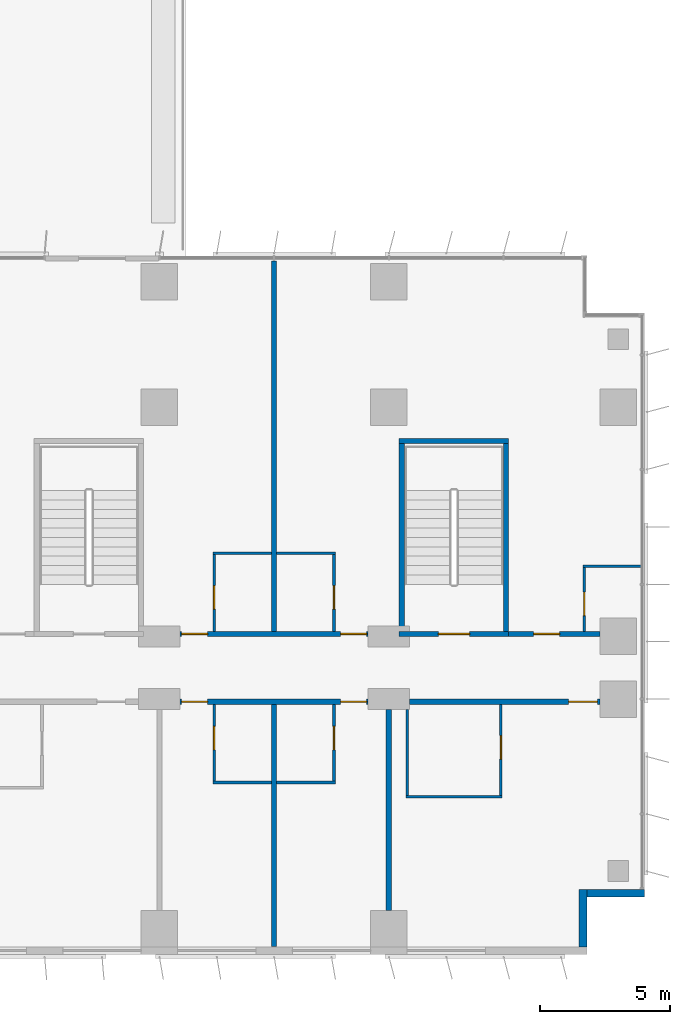
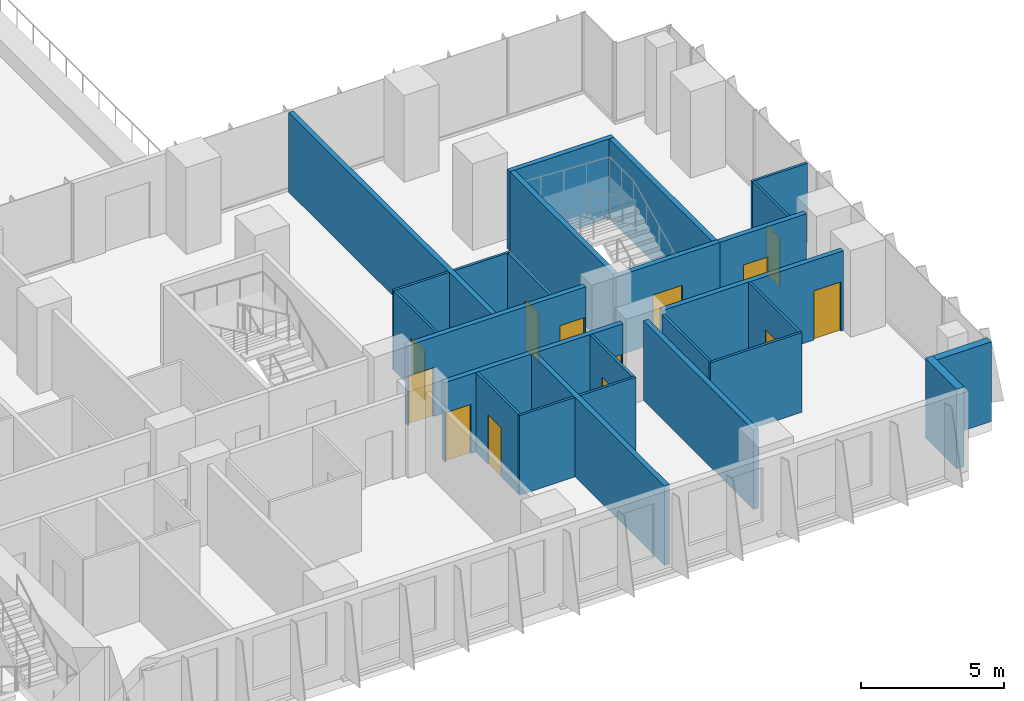
# One storey, part 16 of 23: 26 walls, 13 doors, 13 openings.
"""IFC4 building model written with IfcOpenShell, lengths in metres."""

from ifc_helpers import new_model, si_unit, direction, frame, frame_2d, origin, place, context, subcontext, project, spatial, rectangle, extrude, material, layer, layer_set, type_object, element, fill, save


model = new_model("IFC4")

# Units and contexts
model_context = context("Model", 3, precision=1e-05, world=origin(), true_north=direction((0.0, 1.0)))
body_context = subcontext(model_context, "Body", "Model", "MODEL_VIEW")
ifc_project = project(units=[si_unit("LENGTHUNIT", "METRE"), si_unit("AREAUNIT", "SQUARE_METRE"), si_unit("VOLUMEUNIT", "CUBIC_METRE"), si_unit("PLANEANGLEUNIT", "RADIAN"), si_unit("MASSUNIT", "GRAM", prefix="KILO")], contexts=[model_context])

# Site, building, storey
site_placement = place(None, origin())
site = spatial("IfcSite", under=ifc_project, at=site_placement, CompositionType="ELEMENT")
building_placement = place(site_placement, origin())
building = spatial("IfcBuilding", under=site, at=building_placement, Name="Kemantara Hotel Tower", CompositionType="ELEMENT")
storey_placement = place(building_placement, frame((0.0, 0.0, 34.0)))
storey = spatial("IfcBuildingStorey", under=building, at=storey_placement, Name="L06", CompositionType="ELEMENT", Elevation=34.0)

# Walls
ifc_material_1 = material(Name="Bronze anodised aluminium cladding on insulated steel stud wall", Category="steel")
ifc_layer_1 = layer(ifc_material_1, 0.300048828125)
ifc_layer_set_1 = layer_set([ifc_layer_1], Name="Bronze anodised aluminium cladding on insulated steel stud wall")
wall_type_1 = type_object("IfcWallType", Name="BRONZE METAL-CLAD EXTERNAL WALL 300", PredefinedType="STANDARD", material=ifc_layer_set_1)
for number, where, z_axis, x_axis, name in (
    (1, (78.85009765625, 0.300048828125, 0.0), (0.0, 0.0, 1.0), (0.0, 1.0, 0.0), "EXTERNAL WALL L06 T1-R02"),
    (2, (79.0, 2.35009765625, 0.0), (0.0, 0.0, 1.0), (1.0, 0.0, 0.0), "EXTERNAL WALL L06 T1-R03"),
):
    element("IfcWall", number, at=place(storey_placement, frame(where, z_axis=z_axis, x_axis=x_axis)), inside=storey, type_object=wall_type_1, Name=name, PredefinedType="STANDARD", context=body_context, shape_type="SweptSolid", body=[
        extrude(rectangle(XDim=2.199951171875, YDim=0.300048828125, at=frame_2d((1.10009765625, 0.0))), origin(), (0.0, 0.0, 1.0), 3.39990234375),
    ])

# Wall, openings, doors
ifc_material_2 = material(Name="Gypsum board partition, steel studs and mineral wool, 200 mm", Category="steel")
ifc_layer_2 = layer(ifc_material_2, 0.199951171875)
ifc_layer_set_2 = layer_set([ifc_layer_2], Name="Gypsum board partition, steel studs and mineral wool, 200 mm")
wall_type_2 = type_object("IfcWallType", Name="CORRIDOR WALL 200", PredefinedType="PARTITIONING", material=ifc_layer_set_2)
wall_1_placement = place(storey_placement, frame((70.599853515625, 9.699951171875, 0.0), z_axis=(0.0, 0.0, 1.0), x_axis=(-1.0, 0.0, 0.0)))
wall_1 = element("IfcWall", 3, at=wall_1_placement, inside=storey, type_object=wall_type_2, Name="CORRIDOR WALL 200 003", PredefinedType="PARTITIONING", context=body_context, shape_type="SweptSolid", body=[
    extrude(rectangle(XDim=7.19970703125, YDim=0.199951171875, at=frame_2d((3.599853515625, 0.0))), origin(), (0.0, 0.0, 1.0), 3.39990234375),
])
opening_1_placement = place(wall_1_placement, frame((6.14990234375, 0.0, 0.0)))
opening_1 = element("IfcOpeningElement", 4, at=opening_1_placement, cuts=wall_1, Name="Opening F01-007", PredefinedType="OPENING", context=body_context, shape_type="SweptSolid", body=[
    extrude(rectangle(XDim=1.0, YDim=2.10009765625, at=frame_2d((0.5, 1.050048828125))), frame((0.0, 0.10986328125, 0.0), z_axis=(0.0, -1.0, 0.0), x_axis=(1.0, 0.0, 0.0)), (0.0, 0.0, 1.0), 0.219970703125),
])
opening_2_placement = place(wall_1_placement, frame((0.0498046875, 0.0, 0.0)))
opening_2 = element("IfcOpeningElement", 5, at=opening_2_placement, cuts=wall_1, Name="Opening F01-009", PredefinedType="OPENING", context=body_context, shape_type="SweptSolid", body=[
    extrude(rectangle(XDim=1.0, YDim=2.10009765625, at=frame_2d((0.5, 1.050048828125))), frame((0.0, 0.10986328125, 0.0), z_axis=(0.0, -1.0, 0.0), x_axis=(1.0, 0.0, 0.0)), (0.0, 0.0, 1.0), 0.219970703125),
])
ifc_material_3 = material(Name="Hardwood veneer door leaf with steel frame", Category="steel")
door_type_1 = type_object("IfcDoorType", Name="GUEST ROOM DOOR 1000 X 2100 FD30S", OperationType="NOTDEFINED", PredefinedType="DOOR", material=ifc_material_3)
door_1_placement = place(opening_1_placement, origin())
door_1 = element("IfcDoor", 6, at=door_1_placement, inside=storey, type_object=door_type_1, Name="GUEST ROOM DOOR F01-007", OperationType="SINGLE_SWING_RIGHT", OverallHeight=2.10009765625, OverallWidth=1.0, PredefinedType="DOOR", context=body_context, shape_type="SweptSolid", body=[
    extrude(rectangle(XDim=1.0, YDim=2.10009765625, at=frame_2d((0.5, 1.050048828125))), frame((0.0, 0.02490234375, 0.0), z_axis=(0.0, -1.0, 0.0), x_axis=(1.0, 0.0, 0.0)), (0.0, 0.0, 1.0), 0.050048828125),
])
fill(opening_1, door_1)
door_2_placement = place(opening_2_placement, origin())
door_2 = element("IfcDoor", 7, at=door_2_placement, inside=storey, type_object=door_type_1, Name="GUEST ROOM DOOR F01-009", OperationType="SINGLE_SWING_LEFT", OverallHeight=2.10009765625, OverallWidth=1.0, PredefinedType="DOOR", context=body_context, shape_type="SweptSolid", body=[
    extrude(rectangle(XDim=1.0, YDim=2.10009765625, at=frame_2d((0.5, 1.050048828125))), frame((0.0, 0.02490234375, 0.0), z_axis=(0.0, -1.0, 0.0), x_axis=(1.0, 0.0, 0.0)), (0.0, 0.0, 1.0), 0.050048828125),
])
fill(opening_2, door_2)

# Wall, opening, door
wall_2_placement = place(storey_placement, frame((79.5, 9.699951171875, 0.0), z_axis=(0.0, 0.0, 1.0), x_axis=(-1.0, 0.0, 0.0)))
wall_2 = element("IfcWall", 8, at=wall_2_placement, inside=storey, type_object=wall_type_2, Name="CORRIDOR WALL 200 004", PredefinedType="PARTITIONING", context=body_context, shape_type="SweptSolid", body=[
    extrude(rectangle(XDim=7.2998046875, YDim=0.199951171875, at=frame_2d((3.64990234375, 0.0))), origin(), (0.0, 0.0, 1.0), 3.39990234375),
])
opening_3_placement = place(wall_2_placement, frame((0.099853515625, 0.0, 0.0)))
opening_3 = element("IfcOpeningElement", 9, at=opening_3_placement, cuts=wall_2, Name="Opening F01-011", PredefinedType="OPENING", context=body_context, shape_type="SweptSolid", body=[
    extrude(rectangle(XDim=1.10009765625, YDim=2.10009765625, at=frame_2d((0.550048828125, 1.050048828125))), frame((0.0, 0.10986328125, 0.0), z_axis=(0.0, -1.0, 0.0), x_axis=(1.0, 0.0, 0.0)), (0.0, 0.0, 1.0), 0.219970703125),
])
door_type_2 = type_object("IfcDoorType", Name="SUITE ENTRANCE DOOR 1100 X 2100 FD30S", OperationType="NOTDEFINED", PredefinedType="DOOR", material=ifc_material_3)
door_3_placement = place(opening_3_placement, origin())
door_3 = element("IfcDoor", 10, at=door_3_placement, inside=storey, type_object=door_type_2, Name="SUITE ENTRANCE DOOR F01-011", OperationType="SINGLE_SWING_LEFT", OverallHeight=2.10009765625, OverallWidth=1.10009765625, PredefinedType="DOOR", context=body_context, shape_type="SweptSolid", body=[
    extrude(rectangle(XDim=1.10009765625, YDim=2.10009765625, at=frame_2d((0.550048828125, 1.050048828125))), frame((0.0, 0.02490234375, 0.0), z_axis=(0.0, -1.0, 0.0), x_axis=(1.0, 0.0, 0.0)), (0.0, 0.0, 1.0), 0.050048828125),
])
fill(opening_3, door_3)

# Wall, openings, doors
wall_3_placement = place(storey_placement, frame((63.400146484375, 12.300048828125, 0.0), z_axis=(0.0, 0.0, 1.0), x_axis=(1.0, 0.0, 0.0)))
wall_3 = element("IfcWall", 11, at=wall_3_placement, inside=storey, type_object=wall_type_2, Name="CORRIDOR WALL 200 019", PredefinedType="PARTITIONING", context=body_context, shape_type="SweptSolid", body=[
    extrude(rectangle(XDim=7.19970703125, YDim=0.199951171875, at=frame_2d((3.599853515625, 0.0))), origin(), (0.0, 0.0, 1.0), 3.39990234375),
])
opening_4_placement = place(wall_3_placement, frame((0.0498046875, 0.0, 0.0)))
opening_4 = element("IfcOpeningElement", 12, at=opening_4_placement, cuts=wall_3, Name="Opening F01-027", PredefinedType="OPENING", context=body_context, shape_type="SweptSolid", body=[
    extrude(rectangle(XDim=1.0, YDim=2.10009765625, at=frame_2d((0.5, 1.050048828125))), frame((0.0, 0.10986328125, 0.0), z_axis=(0.0, -1.0, 0.0), x_axis=(1.0, 0.0, 0.0)), (0.0, 0.0, 1.0), 0.219970703125),
])
opening_5_placement = place(wall_3_placement, frame((6.14990234375, 0.0, 0.0)))
opening_5 = element("IfcOpeningElement", 13, at=opening_5_placement, cuts=wall_3, Name="Opening F01-029", PredefinedType="OPENING", context=body_context, shape_type="SweptSolid", body=[
    extrude(rectangle(XDim=1.0, YDim=2.10009765625, at=frame_2d((0.5, 1.050048828125))), frame((0.0, 0.10986328125, 0.0), z_axis=(0.0, -1.0, 0.0), x_axis=(1.0, 0.0, 0.0)), (0.0, 0.0, 1.0), 0.219970703125),
])
door_4_placement = place(opening_4_placement, origin())
door_4 = element("IfcDoor", 14, at=door_4_placement, inside=storey, type_object=door_type_1, Name="GUEST ROOM DOOR F01-027", OperationType="SINGLE_SWING_LEFT", OverallHeight=2.10009765625, OverallWidth=1.0, PredefinedType="DOOR", context=body_context, shape_type="SweptSolid", body=[
    extrude(rectangle(XDim=1.0, YDim=2.10009765625, at=frame_2d((0.5, 1.050048828125))), frame((0.0, 0.02490234375, 0.0), z_axis=(0.0, -1.0, 0.0), x_axis=(1.0, 0.0, 0.0)), (0.0, 0.0, 1.0), 0.050048828125),
])
fill(opening_4, door_4)
door_5_placement = place(opening_5_placement, origin())
door_5 = element("IfcDoor", 15, at=door_5_placement, inside=storey, type_object=door_type_1, Name="GUEST ROOM DOOR F01-029", OperationType="SINGLE_SWING_RIGHT", OverallHeight=2.10009765625, OverallWidth=1.0, PredefinedType="DOOR", context=body_context, shape_type="SweptSolid", body=[
    extrude(rectangle(XDim=1.0, YDim=2.10009765625, at=frame_2d((0.5, 1.050048828125))), frame((0.0, 0.02490234375, 0.0), z_axis=(0.0, -1.0, 0.0), x_axis=(1.0, 0.0, 0.0)), (0.0, 0.0, 1.0), 0.050048828125),
])
fill(opening_5, door_5)

# Wall, opening, door
wall_4_placement = place(storey_placement, frame((76.0, 12.300048828125, 0.0), z_axis=(0.0, 0.0, 1.0), x_axis=(1.0, 0.0, 0.0)))
wall_4 = element("IfcWall", 16, at=wall_4_placement, inside=storey, type_object=wall_type_2, Name="CORRIDOR WALL 200 020", PredefinedType="PARTITIONING", context=body_context, shape_type="SweptSolid", body=[
    extrude(rectangle(XDim=3.5, YDim=0.199951171875, at=frame_2d((1.75, 0.0))), origin(), (0.0, 0.0, 1.0), 3.39990234375),
])
opening_6_placement = place(wall_4_placement, frame((0.949951171875, 0.0, 0.0)))
opening_6 = element("IfcOpeningElement", 17, at=opening_6_placement, cuts=wall_4, Name="Opening F01-031", PredefinedType="OPENING", context=body_context, shape_type="SweptSolid", body=[
    extrude(rectangle(XDim=1.0, YDim=2.10009765625, at=frame_2d((0.5, 1.050048828125))), frame((0.0, 0.10986328125, 0.0), z_axis=(0.0, -1.0, 0.0), x_axis=(1.0, 0.0, 0.0)), (0.0, 0.0, 1.0), 0.219970703125),
])
door_6_placement = place(opening_6_placement, origin())
door_6 = element("IfcDoor", 18, at=door_6_placement, inside=storey, type_object=door_type_1, Name="GUEST ROOM DOOR F01-031", OperationType="SINGLE_SWING_LEFT", OverallHeight=2.10009765625, OverallWidth=1.0, PredefinedType="DOOR", context=body_context, shape_type="SweptSolid", body=[
    extrude(rectangle(XDim=1.0, YDim=2.10009765625, at=frame_2d((0.5, 1.050048828125))), frame((0.0, 0.02490234375, 0.0), z_axis=(0.0, -1.0, 0.0), x_axis=(1.0, 0.0, 0.0)), (0.0, 0.0, 1.0), 0.050048828125),
])
fill(opening_6, door_6)

ifc_material_4 = material(Name="Concrete fc 40 MPa", Category="concrete")
ifc_layer_3 = layer(ifc_material_4, 0.199951171875)
ifc_layer_set_3 = layer_set([ifc_layer_3], Name="Concrete fc 40 MPa")
wall_type_3 = type_object("IfcWallType", Name="Concrete stair wall 200 mm", PredefinedType="SHEAR", material=ifc_layer_set_3)
wall_5_placement = place(storey_placement, frame((71.800048828125, 12.300048828125, 0.0), z_axis=(0.0, 0.0, 1.0), x_axis=(1.0, 0.0, 0.0)))
wall_5 = element("IfcWall", 19, at=wall_5_placement, inside=storey, type_object=wall_type_3, Name="Stair ST5 enclosure wall with door", PredefinedType="SHEAR", context=body_context, shape_type="SweptSolid", body=[
    extrude(rectangle(XDim=4.199951171875, YDim=0.199951171875, at=frame_2d((2.10009765625, 0.0))), origin(), (0.0, 0.0, 1.0), 3.39990234375),
])
opening_7_placement = place(wall_5_placement, frame((1.5, 0.0, 0.0)))
opening_7 = element("IfcOpeningElement", 20, at=opening_7_placement, cuts=wall_5, Name="Opening ST5-C", PredefinedType="OPENING", context=body_context, shape_type="SweptSolid", body=[
    extrude(rectangle(XDim=1.199951171875, YDim=2.10009765625, at=frame_2d((0.60009765625, 1.050048828125))), frame((0.0, 0.10986328125, 0.0), z_axis=(0.0, -1.0, 0.0), x_axis=(1.0, 0.0, 0.0)), (0.0, 0.0, 1.0), 0.219970703125),
])
ifc_material_5 = material(Name="Steel fire door", Category="steel")
door_type_3 = type_object("IfcDoorType", Name="Fire door FD90 1200 x 2100", OperationType="NOTDEFINED", PredefinedType="DOOR", material=ifc_material_5)
door_7_placement = place(opening_7_placement, origin())
door_7 = element("IfcDoor", 21, at=door_7_placement, inside=storey, type_object=door_type_3, Name="Stair ST5 door", OperationType="SINGLE_SWING_RIGHT", OverallHeight=2.10009765625, OverallWidth=1.199951171875, PredefinedType="DOOR", context=body_context, shape_type="SweptSolid", body=[
    extrude(rectangle(XDim=1.199951171875, YDim=2.10009765625, at=frame_2d((0.60009765625, 1.050048828125))), frame((0.0, 0.02490234375, 0.0), z_axis=(0.0, -1.0, 0.0), x_axis=(1.0, 0.0, 0.0)), (0.0, 0.0, 1.0), 0.050048828125),
])
fill(opening_7, door_7)

# Walls
wall_6_placement = place(storey_placement, frame((71.800048828125, 19.699951171875, 0.0), z_axis=(0.0, 0.0, 1.0), x_axis=(1.0, 0.0, 0.0)))
element("IfcWall", 22, at=wall_6_placement, inside=storey, type_object=wall_type_3, Name="Stair ST5 enclosure wall N", PredefinedType="SHEAR", context=body_context, shape_type="SweptSolid", body=[
    extrude(rectangle(XDim=4.199951171875, YDim=0.199951171875, at=frame_2d((2.10009765625, 0.0))), origin(), (0.0, 0.0, 1.0), 3.39990234375),
])
for number, where, z_axis, x_axis, name in (
    (23, (71.89990234375, 12.39990234375, 0.0), (0.0, 0.0, 1.0), (0.0, 1.0, 0.0), "Stair ST5 enclosure wall W"),
    (24, (75.89990234375, 12.39990234375, 0.0), (0.0, 0.0, 1.0), (0.0, 1.0, 0.0), "Stair ST5 enclosure wall E"),
):
    element("IfcWall", number, at=place(storey_placement, frame(where, z_axis=z_axis, x_axis=x_axis)), inside=storey, type_object=wall_type_3, Name=name, PredefinedType="SHEAR", context=body_context, shape_type="SweptSolid", body=[
        extrude(rectangle(XDim=7.2001953125, YDim=0.199951171875, at=frame_2d((3.60009765625, 0.0))), origin(), (0.0, 0.0, 1.0), 3.39990234375),
    ])
ifc_layer_4 = layer(ifc_material_2, 0.199951171875)
ifc_layer_set_4 = layer_set([ifc_layer_4], Name="Gypsum board partition, steel studs and mineral wool, 200 mm")
wall_type_4 = type_object("IfcWallType", Name="GUEST ROOM PARTY WALL 200", PredefinedType="PARTITIONING", material=ifc_layer_set_4)
wall_7_placement = place(storey_placement, frame((67.0, 0.31005859375, 0.0), z_axis=(0.0, 0.0, 1.0), x_axis=(0.0, 1.0, 0.0)))
element("IfcWall", 25, at=wall_7_placement, inside=storey, type_object=wall_type_4, Name="GUEST ROOM PARTY WALL 200 011", PredefinedType="PARTITIONING", context=body_context, shape_type="SweptSolid", body=[
    extrude(rectangle(XDim=9.2900390625, YDim=0.199951171875, at=frame_2d((4.64501953125, 0.0))), origin(), (0.0, 0.0, 1.0), 3.39990234375),
])
wall_8_placement = place(storey_placement, frame((67.0, 12.39990234375, 0.0), z_axis=(0.0, 0.0, 1.0), x_axis=(0.0, 1.0, 0.0)))
element("IfcWall", 26, at=wall_8_placement, inside=storey, type_object=wall_type_4, Name="GUEST ROOM PARTY WALL 200 012", PredefinedType="PARTITIONING", context=body_context, shape_type="SweptSolid", body=[
    extrude(rectangle(XDim=14.199951171875, YDim=0.199951171875, at=frame_2d((7.10009765625, 0.0))), origin(), (0.0, 0.0, 1.0), 3.39990234375),
])
wall_9_placement = place(storey_placement, frame((71.39990234375, 1.7001953125, 0.0), z_axis=(0.0, 0.0, 1.0), x_axis=(0.0, 1.0, 0.0)))
element("IfcWall", 27, at=wall_9_placement, inside=storey, type_object=wall_type_4, Name="GUEST ROOM PARTY WALL 200 013", PredefinedType="PARTITIONING", context=body_context, shape_type="SweptSolid", body=[
    extrude(rectangle(XDim=7.69970703125, YDim=0.199951171875, at=frame_2d((3.849853515625, 0.0))), origin(), (0.0, 0.0, 1.0), 3.39990234375),
])
ifc_material_6 = material(Name="Gypsum board partition on steel studs, 100 mm", Category="steel")
ifc_layer_5 = layer(ifc_material_6, 0.10009765625)
ifc_layer_set_5 = layer_set([ifc_layer_5], Name="Gypsum board partition on steel studs, 100 mm")
wall_type_5 = type_object("IfcWallType", Name="ROOM PARTITION 100", PredefinedType="PARTITIONING", material=ifc_layer_set_5)
for number, where, z_axis, x_axis, name in (
    (28, (64.64990234375, 6.60009765625, 0.0), (0.0, 0.0, 1.0), (1.0, 0.0, 0.0), "ROOM PARTITION 100 073"),
    (29, (67.10009765625, 6.60009765625, 0.0), (0.0, 0.0, 1.0), (1.0, 0.0, 0.0), "ROOM PARTITION 100 074"),
):
    element("IfcWall", number, at=place(storey_placement, frame(where, z_axis=z_axis, x_axis=x_axis)), inside=storey, type_object=wall_type_5, Name=name, PredefinedType="PARTITIONING", context=body_context, shape_type="SweptSolid", body=[
        extrude(rectangle(XDim=2.25, YDim=0.10009765625, at=frame_2d((1.125, 0.0))), origin(), (0.0, 0.0, 1.0), 3.39990234375),
    ])

# Wall, opening, door
wall_10_placement = place(storey_placement, frame((64.699951171875, 9.60009765625, 0.0), z_axis=(0.0, 0.0, 1.0), x_axis=(0.0, -1.0, 0.0)))
wall_10 = element("IfcWall", 30, at=wall_10_placement, inside=storey, type_object=wall_type_5, Name="ROOM PARTITION 100 082", PredefinedType="PARTITIONING", context=body_context, shape_type="SweptSolid", body=[
    extrude(rectangle(XDim=2.9501953125, YDim=0.10009765625, at=frame_2d((1.47509765625, 0.0))), origin(), (0.0, 0.0, 1.0), 3.39990234375),
])
opening_8_placement = place(wall_10_placement, frame((0.85009765625, 0.0, 0.0)))
opening_8 = element("IfcOpeningElement", 31, at=opening_8_placement, cuts=wall_10, Name="Opening F01-008", PredefinedType="OPENING", context=body_context, shape_type="SweptSolid", body=[
    extrude(rectangle(XDim=0.89990234375, YDim=2.10009765625, at=frame_2d((0.449951171875, 1.050048828125))), frame((0.0, 0.06005859375, 0.0), z_axis=(0.0, -1.0, 0.0), x_axis=(1.0, 0.0, 0.0)), (0.0, 0.0, 1.0), 0.1201171875),
])
door_type_4 = type_object("IfcDoorType", Name="BATHROOM DOOR 900 X 2100", OperationType="NOTDEFINED", PredefinedType="DOOR", material=ifc_material_3)
door_8_placement = place(opening_8_placement, origin())
door_8 = element("IfcDoor", 32, at=door_8_placement, inside=storey, type_object=door_type_4, Name="BATHROOM DOOR F01-008", OperationType="SINGLE_SWING_LEFT", OverallHeight=2.10009765625, OverallWidth=0.89990234375, PredefinedType="DOOR", context=body_context, shape_type="SweptSolid", body=[
    extrude(rectangle(XDim=0.89990234375, YDim=2.10009765625, at=frame_2d((0.449951171875, 1.050048828125))), frame((0.0, 0.02490234375, 0.0), z_axis=(0.0, -1.0, 0.0), x_axis=(1.0, 0.0, 0.0)), (0.0, 0.0, 1.0), 0.050048828125),
])
fill(opening_8, door_8)

wall_11_placement = place(storey_placement, frame((64.699951171875, 15.35009765625, 0.0), z_axis=(0.0, 0.0, 1.0), x_axis=(0.0, -1.0, 0.0)))
wall_11 = element("IfcWall", 33, at=wall_11_placement, inside=storey, type_object=wall_type_5, Name="ROOM PARTITION 100 083", PredefinedType="PARTITIONING", context=body_context, shape_type="SweptSolid", body=[
    extrude(rectangle(XDim=2.9501953125, YDim=0.10009765625, at=frame_2d((1.47509765625, 0.0))), origin(), (0.0, 0.0, 1.0), 3.39990234375),
])
opening_9_placement = place(wall_11_placement, frame((1.199951171875, 0.0, 0.0)))
opening_9 = element("IfcOpeningElement", 34, at=opening_9_placement, cuts=wall_11, Name="Opening F01-028", PredefinedType="OPENING", context=body_context, shape_type="SweptSolid", body=[
    extrude(rectangle(XDim=0.89990234375, YDim=2.10009765625, at=frame_2d((0.449951171875, 1.050048828125))), frame((0.0, 0.06005859375, 0.0), z_axis=(0.0, -1.0, 0.0), x_axis=(1.0, 0.0, 0.0)), (0.0, 0.0, 1.0), 0.1201171875),
])
door_9_placement = place(opening_9_placement, origin())
door_9 = element("IfcDoor", 35, at=door_9_placement, inside=storey, type_object=door_type_4, Name="BATHROOM DOOR F01-028", OperationType="SINGLE_SWING_RIGHT", OverallHeight=2.10009765625, OverallWidth=0.89990234375, PredefinedType="DOOR", context=body_context, shape_type="SweptSolid", body=[
    extrude(rectangle(XDim=0.89990234375, YDim=2.10009765625, at=frame_2d((0.449951171875, 1.050048828125))), frame((0.0, 0.02490234375, 0.0), z_axis=(0.0, -1.0, 0.0), x_axis=(1.0, 0.0, 0.0)), (0.0, 0.0, 1.0), 0.050048828125),
])
fill(opening_9, door_9)

wall_12_placement = place(storey_placement, frame((69.300048828125, 6.64990234375, 0.0), z_axis=(0.0, 0.0, 1.0), x_axis=(0.0, 1.0, 0.0)))
wall_12 = element("IfcWall", 36, at=wall_12_placement, inside=storey, type_object=wall_type_5, Name="ROOM PARTITION 100 084", PredefinedType="PARTITIONING", context=body_context, shape_type="SweptSolid", body=[
    extrude(rectangle(XDim=2.9501953125, YDim=0.10009765625, at=frame_2d((1.47509765625, 0.0))), origin(), (0.0, 0.0, 1.0), 3.39990234375),
])
opening_10_placement = place(wall_12_placement, frame((1.199951171875, 0.0, 0.0)))
opening_10 = element("IfcOpeningElement", 37, at=opening_10_placement, cuts=wall_12, Name="Opening F01-010", PredefinedType="OPENING", context=body_context, shape_type="SweptSolid", body=[
    extrude(rectangle(XDim=0.89990234375, YDim=2.10009765625, at=frame_2d((0.449951171875, 1.050048828125))), frame((0.0, 0.06005859375, 0.0), z_axis=(0.0, -1.0, 0.0), x_axis=(1.0, 0.0, 0.0)), (0.0, 0.0, 1.0), 0.1201171875),
])
door_10_placement = place(opening_10_placement, origin())
door_10 = element("IfcDoor", 38, at=door_10_placement, inside=storey, type_object=door_type_4, Name="BATHROOM DOOR F01-010", OperationType="SINGLE_SWING_RIGHT", OverallHeight=2.10009765625, OverallWidth=0.89990234375, PredefinedType="DOOR", context=body_context, shape_type="SweptSolid", body=[
    extrude(rectangle(XDim=0.89990234375, YDim=2.10009765625, at=frame_2d((0.449951171875, 1.050048828125))), frame((0.0, 0.02490234375, 0.0), z_axis=(0.0, -1.0, 0.0), x_axis=(1.0, 0.0, 0.0)), (0.0, 0.0, 1.0), 0.050048828125),
])
fill(opening_10, door_10)

wall_13_placement = place(storey_placement, frame((69.300048828125, 12.39990234375, 0.0), z_axis=(0.0, 0.0, 1.0), x_axis=(0.0, 1.0, 0.0)))
wall_13 = element("IfcWall", 39, at=wall_13_placement, inside=storey, type_object=wall_type_5, Name="ROOM PARTITION 100 085", PredefinedType="PARTITIONING", context=body_context, shape_type="SweptSolid", body=[
    extrude(rectangle(XDim=2.9501953125, YDim=0.10009765625, at=frame_2d((1.47509765625, 0.0))), origin(), (0.0, 0.0, 1.0), 3.39990234375),
])
opening_11_placement = place(wall_13_placement, frame((0.85009765625, 0.0, 0.0)))
opening_11 = element("IfcOpeningElement", 40, at=opening_11_placement, cuts=wall_13, Name="Opening F01-030", PredefinedType="OPENING", context=body_context, shape_type="SweptSolid", body=[
    extrude(rectangle(XDim=0.89990234375, YDim=2.10009765625, at=frame_2d((0.449951171875, 1.050048828125))), frame((0.0, 0.06005859375, 0.0), z_axis=(0.0, -1.0, 0.0), x_axis=(1.0, 0.0, 0.0)), (0.0, 0.0, 1.0), 0.1201171875),
])
door_11_placement = place(opening_11_placement, origin())
door_11 = element("IfcDoor", 41, at=door_11_placement, inside=storey, type_object=door_type_4, Name="BATHROOM DOOR F01-030", OperationType="SINGLE_SWING_LEFT", OverallHeight=2.10009765625, OverallWidth=0.89990234375, PredefinedType="DOOR", context=body_context, shape_type="SweptSolid", body=[
    extrude(rectangle(XDim=0.89990234375, YDim=2.10009765625, at=frame_2d((0.449951171875, 1.050048828125))), frame((0.0, 0.02490234375, 0.0), z_axis=(0.0, -1.0, 0.0), x_axis=(1.0, 0.0, 0.0)), (0.0, 0.0, 1.0), 0.050048828125),
])
fill(opening_11, door_11)

# Walls
wall_14_placement = place(storey_placement, frame((72.050048828125, 6.050048828125, 0.0), z_axis=(0.0, 0.0, 1.0), x_axis=(1.0, 0.0, 0.0)))
element("IfcWall", 42, at=wall_14_placement, inside=storey, type_object=wall_type_5, Name="ROOM PARTITION 100 086", PredefinedType="PARTITIONING", context=body_context, shape_type="SweptSolid", body=[
    extrude(rectangle(XDim=3.699951171875, YDim=0.10009765625, at=frame_2d((1.85009765625, 0.0))), origin(), (0.0, 0.0, 1.0), 3.39990234375),
])
wall_15_placement = place(storey_placement, frame((72.10009765625, 6.10009765625, 0.0), z_axis=(0.0, 0.0, 1.0), x_axis=(0.0, 1.0, 0.0)))
element("IfcWall", 43, at=wall_15_placement, inside=storey, type_object=wall_type_5, Name="ROOM PARTITION 100 087", PredefinedType="PARTITIONING", context=body_context, shape_type="SweptSolid", body=[
    extrude(rectangle(XDim=3.2998046875, YDim=0.10009765625, at=frame_2d((1.64990234375, 0.0))), origin(), (0.0, 0.0, 1.0), 3.39990234375),
])

# Wall, opening, door
wall_16_placement = place(storey_placement, frame((75.699951171875, 6.10009765625, 0.0), z_axis=(0.0, 0.0, 1.0), x_axis=(0.0, 1.0, 0.0)))
wall_16 = element("IfcWall", 44, at=wall_16_placement, inside=storey, type_object=wall_type_5, Name="ROOM PARTITION 100 088", PredefinedType="PARTITIONING", context=body_context, shape_type="SweptSolid", body=[
    extrude(rectangle(XDim=3.5, YDim=0.10009765625, at=frame_2d((1.75, 0.0))), origin(), (0.0, 0.0, 1.0), 3.39990234375),
])
opening_12_placement = place(wall_16_placement, frame((1.39990234375, 0.0, 0.0)))
opening_12 = element("IfcOpeningElement", 45, at=opening_12_placement, cuts=wall_16, Name="Opening F01-012", PredefinedType="OPENING", context=body_context, shape_type="SweptSolid", body=[
    extrude(rectangle(XDim=0.89990234375, YDim=2.10009765625, at=frame_2d((0.449951171875, 1.050048828125))), frame((0.0, 0.06005859375, 0.0), z_axis=(0.0, -1.0, 0.0), x_axis=(1.0, 0.0, 0.0)), (0.0, 0.0, 1.0), 0.1201171875),
])
door_12_placement = place(opening_12_placement, origin())
door_12 = element("IfcDoor", 46, at=door_12_placement, inside=storey, type_object=door_type_4, Name="BATHROOM DOOR F01-012", OperationType="SINGLE_SWING_RIGHT", OverallHeight=2.10009765625, OverallWidth=0.89990234375, PredefinedType="DOOR", context=body_context, shape_type="SweptSolid", body=[
    extrude(rectangle(XDim=0.89990234375, YDim=2.10009765625, at=frame_2d((0.449951171875, 1.050048828125))), frame((0.0, 0.02490234375, 0.0), z_axis=(0.0, -1.0, 0.0), x_axis=(1.0, 0.0, 0.0)), (0.0, 0.0, 1.0), 0.050048828125),
])
fill(opening_12, door_12)

# Walls
for number, where, z_axis, x_axis, name in (
    (47, (64.64990234375, 15.39990234375, 0.0), (0.0, 0.0, 1.0), (1.0, 0.0, 0.0), "ROOM PARTITION 100 097"),
    (48, (67.10009765625, 15.39990234375, 0.0), (0.0, 0.0, 1.0), (1.0, 0.0, 0.0), "ROOM PARTITION 100 098"),
):
    element("IfcWall", number, at=place(storey_placement, frame(where, z_axis=z_axis, x_axis=x_axis)), inside=storey, type_object=wall_type_5, Name=name, PredefinedType="PARTITIONING", context=body_context, shape_type="SweptSolid", body=[
        extrude(rectangle(XDim=2.25, YDim=0.10009765625, at=frame_2d((1.125, 0.0))), origin(), (0.0, 0.0, 1.0), 3.39990234375),
    ])
wall_17_placement = place(storey_placement, frame((78.85009765625, 14.89990234375, 0.0), z_axis=(0.0, 0.0, 1.0), x_axis=(1.0, 0.0, 0.0)))
element("IfcWall", 49, at=wall_17_placement, inside=storey, type_object=wall_type_5, Name="ROOM PARTITION 100 103", PredefinedType="PARTITIONING", context=body_context, shape_type="SweptSolid", body=[
    extrude(rectangle(XDim=2.219970703125, YDim=0.10009765625, at=frame_2d((1.10986328125, 0.0))), origin(), (0.0, 0.0, 1.0), 3.39990234375),
])

# Wall, opening, door
wall_18_placement = place(storey_placement, frame((78.89990234375, 14.85009765625, 0.0), z_axis=(0.0, 0.0, 1.0), x_axis=(0.0, -1.0, 0.0)))
wall_18 = element("IfcWall", 50, at=wall_18_placement, inside=storey, type_object=wall_type_5, Name="ROOM PARTITION 100 104", PredefinedType="PARTITIONING", context=body_context, shape_type="SweptSolid", body=[
    extrude(rectangle(XDim=2.4501953125, YDim=0.10009765625, at=frame_2d((1.22509765625, 0.0))), origin(), (0.0, 0.0, 1.0), 3.39990234375),
])
opening_13_placement = place(wall_18_placement, frame((0.949951171875, 0.0, 0.0)))
opening_13 = element("IfcOpeningElement", 51, at=opening_13_placement, cuts=wall_18, Name="Opening F01-032", PredefinedType="OPENING", context=body_context, shape_type="SweptSolid", body=[
    extrude(rectangle(XDim=0.89990234375, YDim=2.10009765625, at=frame_2d((0.449951171875, 1.050048828125))), frame((0.0, 0.06005859375, 0.0), z_axis=(0.0, -1.0, 0.0), x_axis=(1.0, 0.0, 0.0)), (0.0, 0.0, 1.0), 0.1201171875),
])
door_13_placement = place(opening_13_placement, origin())
door_13 = element("IfcDoor", 52, at=door_13_placement, inside=storey, type_object=door_type_4, Name="BATHROOM DOOR F01-032", OperationType="SINGLE_SWING_RIGHT", OverallHeight=2.10009765625, OverallWidth=0.89990234375, PredefinedType="DOOR", context=body_context, shape_type="SweptSolid", body=[
    extrude(rectangle(XDim=0.89990234375, YDim=2.10009765625, at=frame_2d((0.449951171875, 1.050048828125))), frame((0.0, 0.02490234375, 0.0), z_axis=(0.0, -1.0, 0.0), x_axis=(1.0, 0.0, 0.0)), (0.0, 0.0, 1.0), 0.050048828125),
])
fill(opening_13, door_13)

save(model, "model.ifc")
